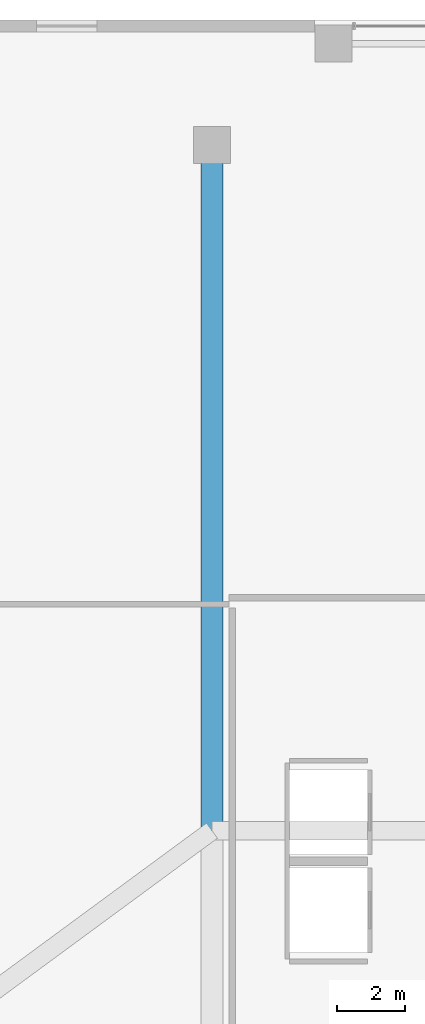
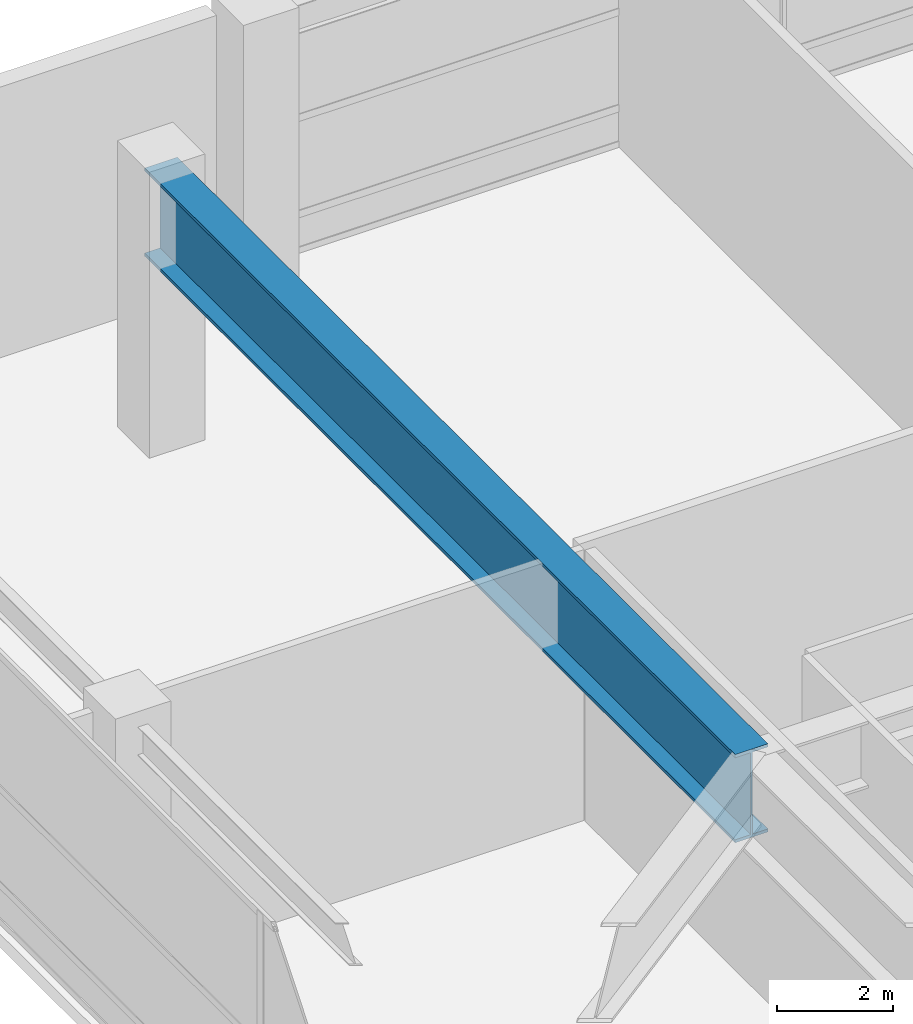
# One storey, part 18 of 39: 1 beam.
"""IFC4 building model written with IfcOpenShell, lengths in metres."""

from ifc_helpers import new_model, si_unit, direction, frame, origin, origin_2d, place, context, subcontext, project, spatial, i_section, extrude, source, transform, mapped, material, material_profile, profile_set, type_object, element, save


model = new_model("IFC4")

# Units and contexts
model_context = context("Model", 3, precision=1e-05, world=origin(), true_north=direction((0.0, 1.0)))
body_context = subcontext(model_context, "Body", "Model", "MODEL_VIEW")
ifc_project = project(units=[si_unit("LENGTHUNIT", "METRE"), si_unit("AREAUNIT", "SQUARE_METRE"), si_unit("VOLUMEUNIT", "CUBIC_METRE"), si_unit("PLANEANGLEUNIT", "RADIAN"), si_unit("MASSUNIT", "GRAM", prefix="KILO"), si_unit("THERMODYNAMICTEMPERATUREUNIT", "KELVIN"), si_unit("POWERUNIT", "WATT")], contexts=[model_context])

# Site, building, storey
site_placement = place(None, origin())
site = spatial("IfcSite", under=ifc_project, at=site_placement, CompositionType="ELEMENT")
building_placement = place(site_placement, origin())
building = spatial("IfcBuilding", under=site, at=building_placement, Name="Yuzanri Waterfront Tower", CompositionType="ELEMENT")
storey_placement = place(building_placement, frame((0.0, 0.0, 19.800048828125)))
storey = spatial("IfcBuildingStorey", under=building, at=storey_placement, Name="L05", CompositionType="ELEMENT", Elevation=19.800048828125)

# Beam
ifc_material = material(Name="Steel Q420GJC", Category="steel")
ifc_material_profile = material_profile(ifc_material, i_section(OverallWidth=0.64990234375, OverallDepth=1.85009765625, WebThickness=0.033935546875, FlangeThickness=0.06494140625, at=origin_2d()), Name="PG 1850x650x34x65")
ifc_profile_set = profile_set([ifc_material_profile], Name="Steel Q420GJC")
beam_type = type_object("IfcBeamType", Name="Long-Span Ballroom Transfer Girder Q420GJC PG 1850x650", PredefinedType="USERDEFINED", material=ifc_profile_set)
shared_shape = source(origin(), body_context, "Body", "SweptSolid", [
    extrude(i_section(OverallWidth=0.64990234375, OverallDepth=1.85009765625, WebThickness=0.033935546875, FlangeThickness=0.06494140625, at=origin_2d()), origin(), (0.0, 0.0, 1.0), 20.300048828125),
])
beam_placement = place(storey_placement, frame((11.89990234375, 25.800048828125, 4.7548828125), z_axis=(0.0, 1.0, 0.0), x_axis=(-1.0, 0.0, 0.0)))
element("IfcBeam", 1, at=beam_placement, inside=storey, type_object=beam_type, Name="L05 Ballroom Span Transfer Girder N", ObjectType="GIRDER", PredefinedType="USERDEFINED", context=body_context, shape_type="MappedRepresentation", body=[
    mapped(shared_shape, transform((0.0, 0.0, 0.0), scale=1.0)),
])

save(model, "model.ifc")
